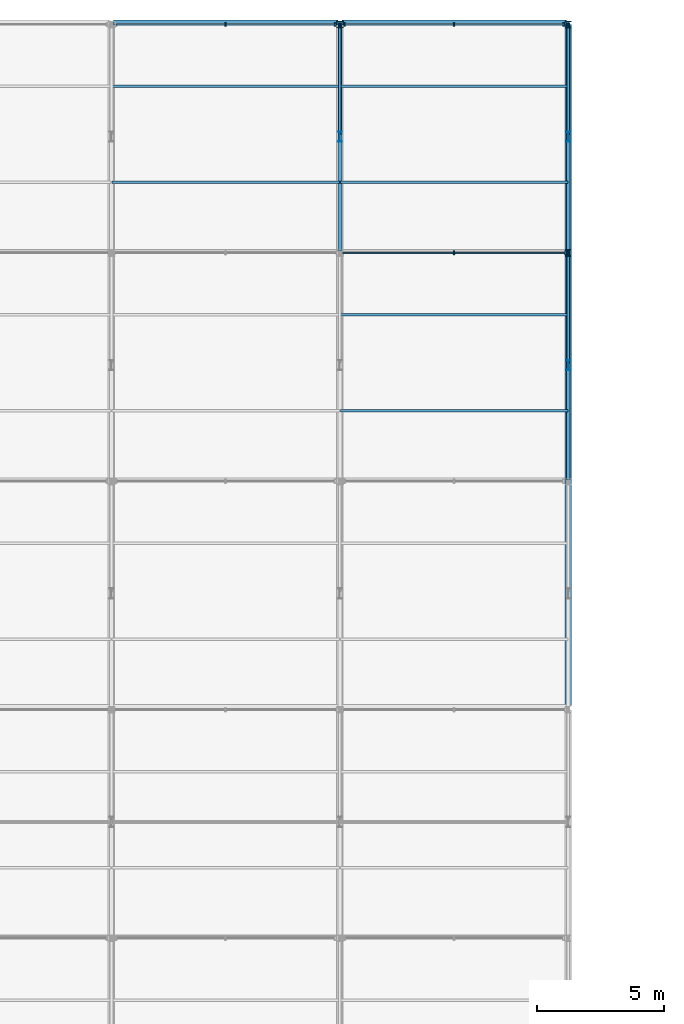
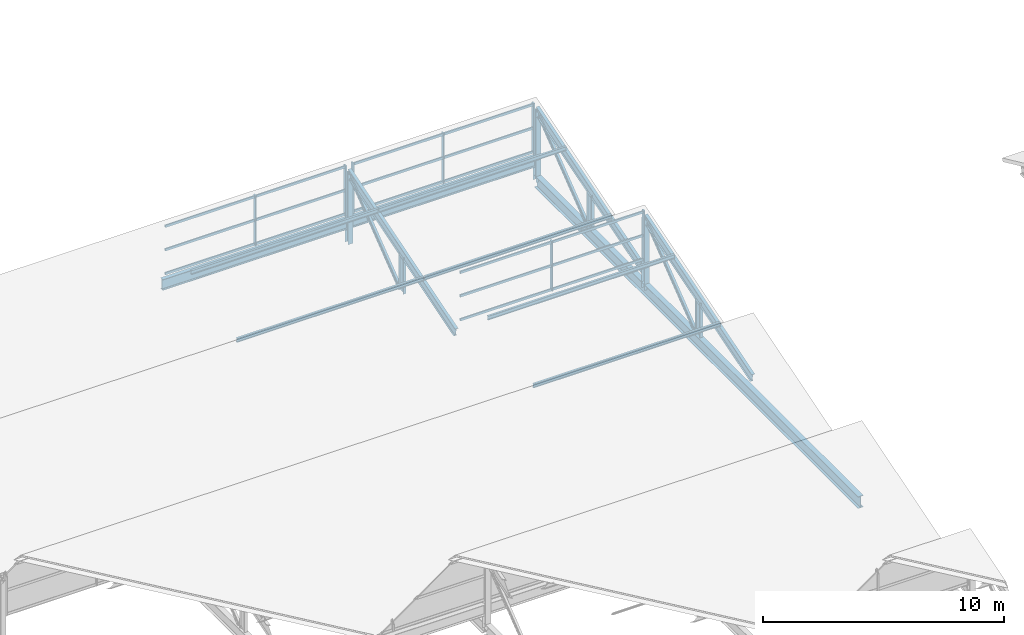
# One storey, part 106 of 163: 43 members, 3 beams, 3 elements without a shape of their own.
"""IFC4 building model written with IfcOpenShell, lengths in metres."""

from ifc_helpers import new_model, si_unit, direction, frame, origin, origin_2d, place, context, subcontext, project, spatial, rectangle, i_section, extrude, material, material_profile, profile_set, type_object, element, aggregate, save


model = new_model("IFC4")

# Units and contexts
model_context = context("Model", 3, precision=1e-05, world=origin(), true_north=direction((0.0, 1.0)))
body_context = subcontext(model_context, "Body", "Model", "MODEL_VIEW")
ifc_project = project(units=[si_unit("LENGTHUNIT", "METRE"), si_unit("AREAUNIT", "SQUARE_METRE"), si_unit("VOLUMEUNIT", "CUBIC_METRE"), si_unit("PLANEANGLEUNIT", "RADIAN"), si_unit("MASSUNIT", "GRAM", prefix="KILO")], contexts=[model_context])

# Site, building, storey
site_placement = place(None, origin())
site = spatial("IfcSite", under=ifc_project, at=site_placement, CompositionType="ELEMENT")
building_placement = place(site_placement, origin())
building = spatial("IfcBuilding", under=site, at=building_placement, Name="Tharagai Park Tramway Depot", CompositionType="ELEMENT")
storey_placement = place(building_placement, frame((0.0, 0.0, 8.39990234375)))
storey = spatial("IfcBuildingStorey", under=building, at=storey_placement, Name="L02", CompositionType="ELEMENT", Elevation=8.39990234375)

# Beams
ifc_material_1 = material(Name="Steel E350", Category="steel")
ifc_material_profile_1 = material_profile(ifc_material_1, i_section(OverallWidth=0.25, OverallDepth=0.60009765625, WebThickness=0.01171875, FlangeThickness=0.023681640625, FilletRadius=0.01708984375, at=origin_2d()), Name="ISWB 600")
ifc_profile_set_1 = profile_set([ifc_material_profile_1], Name="Steel E350")
beam_type_1 = type_object("IfcBeamType", Name="BM-01", PredefinedType="BEAM", material=ifc_profile_set_1)
beam_placement = place(storey_placement, frame((144.0, 117.080078125, -0.25), z_axis=(0.0, 1.0, 0.0), x_axis=(-1.0, 0.0, 0.0)))
element("IfcBeam", 1, at=beam_placement, inside=storey, type_object=beam_type_1, Name="Sawtooth Truss Bottom Tie Girder BM-01", PredefinedType="BEAM", context=body_context, shape_type="SweptSolid", body=[
    extrude(i_section(OverallWidth=0.25, OverallDepth=0.60009765625, WebThickness=0.01171875, FlangeThickness=0.023681640625, FilletRadius=0.01708984375, at=origin_2d()), origin(), (0.0, 0.0, 1.0), 26.83984375),
])
ifc_material_profile_2 = material_profile(ifc_material_1, i_section(OverallWidth=0.18994140625, OverallDepth=0.550048828125, WebThickness=0.01123046875, FlangeThickness=0.019287109375, FilletRadius=0.01806640625, at=origin_2d()), Name="ISMB 550")
ifc_profile_set_2 = profile_set([ifc_material_profile_2], Name="Steel E350")
beam_type_2 = type_object("IfcBeamType", Name="BM-09", PredefinedType="BEAM", material=ifc_profile_set_2)
for number, where, z_axis, x_axis, name in (
    (2, (126.080078125, 144.0, 0.72509765625), (1.0, 0.0, 0.0), (0.0, 1.0, 0.0), "Sawtooth Valley Girder BM-09"),
    (3, (135.080078125, 144.0, 0.72509765625), (1.0, 0.0, 0.0), (0.0, 1.0, 0.0), "Sawtooth Valley Girder BM-09"),
):
    element("IfcBeam", number, at=place(storey_placement, frame(where, z_axis=z_axis, x_axis=x_axis)), inside=storey, type_object=beam_type_2, Name=name, PredefinedType="BEAM", context=body_context, shape_type="SweptSolid", body=[
        extrude(i_section(OverallWidth=0.18994140625, OverallDepth=0.550048828125, WebThickness=0.01123046875, FlangeThickness=0.019287109375, FilletRadius=0.01806640625, at=origin_2d()), origin(), (0.0, 0.0, 1.0), 8.83984375),
    ])

# Members
ifc_material_profile_3 = material_profile(ifc_material_1, i_section(OverallWidth=0.25, OverallDepth=0.25, WebThickness=0.0087890625, FlangeThickness=0.009765625, FilletRadius=0.010009765625, at=origin_2d()), Name="ISHB 250")
ifc_profile_set_3 = profile_set([ifc_material_profile_3], Name="Steel E350")
member_type_1 = type_object("IfcMemberType", Name="BR-01", PredefinedType="BRACE", material=ifc_profile_set_3)
for number, where, z_axis, x_axis, name in (
    (4, (135.0, 143.919921875, -0.25), (0.0, 0.0, 1.0), (1.0, 0.0, 0.0), "Sawtooth North Vertical Post BR-01"),
    (5, (144.0, 134.919921875, -0.25), (0.0, 0.0, 1.0), (1.0, 0.0, 0.0), "Sawtooth North Vertical Post BR-01"),
    (6, (144.0, 143.919921875, -0.25), (0.0, 0.0, 1.0), (1.0, 0.0, 0.0), "Sawtooth North Vertical Post BR-01"),
):
    element("IfcMember", number, at=place(storey_placement, frame(where, z_axis=z_axis, x_axis=x_axis)), inside=storey, type_object=member_type_1, Name=name, PredefinedType="BRACE", context=body_context, shape_type="SweptSolid", body=[
        extrude(i_section(OverallWidth=0.25, OverallDepth=0.25, WebThickness=0.0087890625, FlangeThickness=0.009765625, FilletRadius=0.010009765625, at=origin_2d()), origin(), (0.0, 0.0, 1.0), 3.55517578125),
    ])
ifc_material_profile_4 = material_profile(ifc_material_1, i_section(OverallWidth=0.110107421875, OverallDepth=0.22509765625, WebThickness=0.006591796875, FlangeThickness=0.01171875, FilletRadius=0.011962890625, at=origin_2d()), Name="ISMB 225")
ifc_profile_set_4 = profile_set([ifc_material_profile_4], Name="Steel E350")
member_type_2 = type_object("IfcMemberType", Name="BR-04", PredefinedType="BRACE", material=ifc_profile_set_4)
for number, where, z_axis, x_axis, name in (
    (7, (135.0, 139.64990234375, 0.0), (0.0, 0.790781596, 0.612098413188), (-1.0, 0.0, 0.0), "Sawtooth Truss Web Diagonal BR-04"),
    (8, (144.0, 130.64990234375, 0.0), (0.0, 0.790781596, 0.612098413188), (-1.0, 0.0, 0.0), "Sawtooth Truss Web Diagonal BR-04"),
    (9, (144.0, 139.64990234375, 0.0), (0.0, 0.790781596, 0.612098413188), (-1.0, 0.0, 0.0), "Sawtooth Truss Web Diagonal BR-04"),
):
    element("IfcMember", number, at=place(storey_placement, frame(where, z_axis=z_axis, x_axis=x_axis)), inside=storey, type_object=member_type_2, Name=name, PredefinedType="BRACE", context=body_context, shape_type="SweptSolid", body=[
        extrude(i_section(OverallWidth=0.110107421875, OverallDepth=0.22509765625, WebThickness=0.006591796875, FlangeThickness=0.01171875, FilletRadius=0.011962890625, at=origin_2d()), origin(), (0.0, 0.0, 1.0), 5.399658203125),
    ])

# Curtain wall, members
ifc_material_2 = material(Name="Anodised aluminium", Category="aluminium")
curtain_wall_type_1 = type_object("IfcCurtainWallType", Name="CW-04", PredefinedType="NOTDEFINED", material=ifc_material_2)
curtain_wall_1_placement = place(storey_placement, origin())
curtain_wall_1 = element("IfcCurtainWall", 10, at=curtain_wall_1_placement, inside=storey, type_object=curtain_wall_type_1, Name="Sawtooth North-Light Clerestory CW-04", PredefinedType="NOTDEFINED")
ifc_material_profile_5 = material_profile(ifc_material_2, rectangle(XDim=0.06494140625, YDim=0.1201171875, at=origin_2d()), Name="ALU 65x120")
ifc_profile_set_5 = profile_set([ifc_material_profile_5], Name="Anodised aluminium")
member_type_3 = type_object("IfcMemberType", Name="CM-01", PredefinedType="USERDEFINED", material=ifc_profile_set_5)
member_1_placement = place(storey_placement, frame((135.114990234375, 134.919921875, 1.26513671875), z_axis=(1.0, 0.0, 0.0), x_axis=(0.0, 1.0, 0.0)))
member_1 = element("IfcMember", 11, at=member_1_placement, type_object=member_type_3, Name="Sawtooth North-Light Clerestory Transom 1.1", ObjectType="TRANSOM", PredefinedType="USERDEFINED", context=body_context, shape_type="SweptSolid", body=[
    extrude(rectangle(XDim=0.06494140625, YDim=0.1201171875, at=origin_2d()), origin(), (0.0, 0.0, 1.0), 4.3701171875),
])
member_2_placement = place(storey_placement, frame((135.114990234375, 134.919921875, 2.4736328125), z_axis=(1.0, 0.0, 0.0), x_axis=(0.0, 1.0, 0.0)))
member_2 = element("IfcMember", 12, at=member_2_placement, type_object=member_type_3, Name="Sawtooth North-Light Clerestory Transom 1.2", ObjectType="TRANSOM", PredefinedType="USERDEFINED", context=body_context, shape_type="SweptSolid", body=[
    extrude(rectangle(XDim=0.06494140625, YDim=0.1201171875, at=origin_2d()), origin(), (0.0, 0.0, 1.0), 4.3701171875),
])
member_3_placement = place(storey_placement, frame((135.114990234375, 134.919921875, 3.662353515625), z_axis=(1.0, 0.0, 0.0), x_axis=(0.0, 1.0, 0.0)))
member_3 = element("IfcMember", 13, at=member_3_placement, type_object=member_type_3, Name="Sawtooth North-Light Clerestory Transom 1.3", ObjectType="TRANSOM", PredefinedType="USERDEFINED", context=body_context, shape_type="SweptSolid", body=[
    extrude(rectangle(XDim=0.06494140625, YDim=0.1201171875, at=origin_2d()), origin(), (0.0, 0.0, 1.0), 4.3701171875),
])
member_4_placement = place(storey_placement, frame((139.514892578125, 134.919921875, 1.26513671875), z_axis=(1.0, 0.0, 0.0), x_axis=(0.0, 1.0, 0.0)))
member_4 = element("IfcMember", 14, at=member_4_placement, type_object=member_type_3, Name="Sawtooth North-Light Clerestory Transom 2.1", ObjectType="TRANSOM", PredefinedType="USERDEFINED", context=body_context, shape_type="SweptSolid", body=[
    extrude(rectangle(XDim=0.06494140625, YDim=0.1201171875, at=origin_2d()), origin(), (0.0, 0.0, 1.0), 4.3701171875),
])
member_5_placement = place(storey_placement, frame((139.514892578125, 134.919921875, 2.4736328125), z_axis=(1.0, 0.0, 0.0), x_axis=(0.0, 1.0, 0.0)))
member_5 = element("IfcMember", 15, at=member_5_placement, type_object=member_type_3, Name="Sawtooth North-Light Clerestory Transom 2.2", ObjectType="TRANSOM", PredefinedType="USERDEFINED", context=body_context, shape_type="SweptSolid", body=[
    extrude(rectangle(XDim=0.06494140625, YDim=0.1201171875, at=origin_2d()), origin(), (0.0, 0.0, 1.0), 4.3701171875),
])
member_6_placement = place(storey_placement, frame((139.514892578125, 134.919921875, 3.662353515625), z_axis=(1.0, 0.0, 0.0), x_axis=(0.0, 1.0, 0.0)))
member_6 = element("IfcMember", 16, at=member_6_placement, type_object=member_type_3, Name="Sawtooth North-Light Clerestory Transom 2.3", ObjectType="TRANSOM", PredefinedType="USERDEFINED", context=body_context, shape_type="SweptSolid", body=[
    extrude(rectangle(XDim=0.06494140625, YDim=0.1201171875, at=origin_2d()), origin(), (0.0, 0.0, 1.0), 4.3701171875),
])

curtain_wall_type_2 = type_object("IfcCurtainWallType", Name="CW-03", PredefinedType="NOTDEFINED", material=ifc_material_2)
curtain_wall_2_placement = place(storey_placement, origin())
curtain_wall_2 = element("IfcCurtainWall", 17, at=curtain_wall_2_placement, inside=storey, type_object=curtain_wall_type_2, Name="Sawtooth North-Light Clerestory CW-03", PredefinedType="NOTDEFINED")
member_7_placement = place(storey_placement, frame((126.195068359375, 143.919921875, 1.26513671875), z_axis=(1.0, 0.0, 0.0), x_axis=(0.0, 1.0, 0.0)))
member_7 = element("IfcMember", 18, at=member_7_placement, type_object=member_type_3, Name="Sawtooth North-Light Clerestory Transom 1.1", ObjectType="TRANSOM", PredefinedType="USERDEFINED", context=body_context, shape_type="SweptSolid", body=[
    extrude(rectangle(XDim=0.06494140625, YDim=0.1201171875, at=origin_2d()), origin(), (0.0, 0.0, 1.0), 4.2900390625),
])
member_8_placement = place(storey_placement, frame((126.195068359375, 143.919921875, 2.4736328125), z_axis=(1.0, 0.0, 0.0), x_axis=(0.0, 1.0, 0.0)))
member_8 = element("IfcMember", 19, at=member_8_placement, type_object=member_type_3, Name="Sawtooth North-Light Clerestory Transom 1.2", ObjectType="TRANSOM", PredefinedType="USERDEFINED", context=body_context, shape_type="SweptSolid", body=[
    extrude(rectangle(XDim=0.06494140625, YDim=0.1201171875, at=origin_2d()), origin(), (0.0, 0.0, 1.0), 4.2900390625),
])
member_9_placement = place(storey_placement, frame((126.195068359375, 143.919921875, 3.662353515625), z_axis=(1.0, 0.0, 0.0), x_axis=(0.0, 1.0, 0.0)))
member_9 = element("IfcMember", 20, at=member_9_placement, type_object=member_type_3, Name="Sawtooth North-Light Clerestory Transom 1.3", ObjectType="TRANSOM", PredefinedType="USERDEFINED", context=body_context, shape_type="SweptSolid", body=[
    extrude(rectangle(XDim=0.06494140625, YDim=0.1201171875, at=origin_2d()), origin(), (0.0, 0.0, 1.0), 4.2900390625),
])
member_10_placement = place(storey_placement, frame((130.514892578125, 143.919921875, 1.26513671875), z_axis=(1.0, 0.0, 0.0), x_axis=(0.0, 1.0, 0.0)))
member_10 = element("IfcMember", 21, at=member_10_placement, type_object=member_type_3, Name="Sawtooth North-Light Clerestory Transom 2.1", ObjectType="TRANSOM", PredefinedType="USERDEFINED", context=body_context, shape_type="SweptSolid", body=[
    extrude(rectangle(XDim=0.06494140625, YDim=0.1201171875, at=origin_2d()), origin(), (0.0, 0.0, 1.0), 4.2900390625),
])
member_11_placement = place(storey_placement, frame((130.514892578125, 143.919921875, 2.4736328125), z_axis=(1.0, 0.0, 0.0), x_axis=(0.0, 1.0, 0.0)))
member_11 = element("IfcMember", 22, at=member_11_placement, type_object=member_type_3, Name="Sawtooth North-Light Clerestory Transom 2.2", ObjectType="TRANSOM", PredefinedType="USERDEFINED", context=body_context, shape_type="SweptSolid", body=[
    extrude(rectangle(XDim=0.06494140625, YDim=0.1201171875, at=origin_2d()), origin(), (0.0, 0.0, 1.0), 4.2900390625),
])
member_12_placement = place(storey_placement, frame((130.514892578125, 143.919921875, 3.662353515625), z_axis=(1.0, 0.0, 0.0), x_axis=(0.0, 1.0, 0.0)))
member_12 = element("IfcMember", 23, at=member_12_placement, type_object=member_type_3, Name="Sawtooth North-Light Clerestory Transom 2.3", ObjectType="TRANSOM", PredefinedType="USERDEFINED", context=body_context, shape_type="SweptSolid", body=[
    extrude(rectangle(XDim=0.06494140625, YDim=0.1201171875, at=origin_2d()), origin(), (0.0, 0.0, 1.0), 4.2900390625),
])

curtain_wall_3_placement = place(storey_placement, origin())
curtain_wall_3 = element("IfcCurtainWall", 24, at=curtain_wall_3_placement, inside=storey, type_object=curtain_wall_type_2, Name="Sawtooth North-Light Clerestory CW-03", PredefinedType="NOTDEFINED")
member_13_placement = place(storey_placement, frame((135.195068359375, 143.919921875, 1.26513671875), z_axis=(1.0, 0.0, 0.0), x_axis=(0.0, 1.0, 0.0)))
member_13 = element("IfcMember", 25, at=member_13_placement, type_object=member_type_3, Name="Sawtooth North-Light Clerestory Transom 1.1", ObjectType="TRANSOM", PredefinedType="USERDEFINED", context=body_context, shape_type="SweptSolid", body=[
    extrude(rectangle(XDim=0.06494140625, YDim=0.1201171875, at=origin_2d()), origin(), (0.0, 0.0, 1.0), 4.2900390625),
])
member_14_placement = place(storey_placement, frame((135.195068359375, 143.919921875, 2.4736328125), z_axis=(1.0, 0.0, 0.0), x_axis=(0.0, 1.0, 0.0)))
member_14 = element("IfcMember", 26, at=member_14_placement, type_object=member_type_3, Name="Sawtooth North-Light Clerestory Transom 1.2", ObjectType="TRANSOM", PredefinedType="USERDEFINED", context=body_context, shape_type="SweptSolid", body=[
    extrude(rectangle(XDim=0.06494140625, YDim=0.1201171875, at=origin_2d()), origin(), (0.0, 0.0, 1.0), 4.2900390625),
])
member_15_placement = place(storey_placement, frame((135.195068359375, 143.919921875, 3.662353515625), z_axis=(1.0, 0.0, 0.0), x_axis=(0.0, 1.0, 0.0)))
member_15 = element("IfcMember", 27, at=member_15_placement, type_object=member_type_3, Name="Sawtooth North-Light Clerestory Transom 1.3", ObjectType="TRANSOM", PredefinedType="USERDEFINED", context=body_context, shape_type="SweptSolid", body=[
    extrude(rectangle(XDim=0.06494140625, YDim=0.1201171875, at=origin_2d()), origin(), (0.0, 0.0, 1.0), 4.2900390625),
])
member_16_placement = place(storey_placement, frame((139.514892578125, 143.919921875, 1.26513671875), z_axis=(1.0, 0.0, 0.0), x_axis=(0.0, 1.0, 0.0)))
member_16 = element("IfcMember", 28, at=member_16_placement, type_object=member_type_3, Name="Sawtooth North-Light Clerestory Transom 2.1", ObjectType="TRANSOM", PredefinedType="USERDEFINED", context=body_context, shape_type="SweptSolid", body=[
    extrude(rectangle(XDim=0.06494140625, YDim=0.1201171875, at=origin_2d()), origin(), (0.0, 0.0, 1.0), 4.2900390625),
])
member_17_placement = place(storey_placement, frame((139.514892578125, 143.919921875, 2.4736328125), z_axis=(1.0, 0.0, 0.0), x_axis=(0.0, 1.0, 0.0)))
member_17 = element("IfcMember", 29, at=member_17_placement, type_object=member_type_3, Name="Sawtooth North-Light Clerestory Transom 2.2", ObjectType="TRANSOM", PredefinedType="USERDEFINED", context=body_context, shape_type="SweptSolid", body=[
    extrude(rectangle(XDim=0.06494140625, YDim=0.1201171875, at=origin_2d()), origin(), (0.0, 0.0, 1.0), 4.2900390625),
])
member_18_placement = place(storey_placement, frame((139.514892578125, 143.919921875, 3.662353515625), z_axis=(1.0, 0.0, 0.0), x_axis=(0.0, 1.0, 0.0)))
member_18 = element("IfcMember", 30, at=member_18_placement, type_object=member_type_3, Name="Sawtooth North-Light Clerestory Transom 2.3", ObjectType="TRANSOM", PredefinedType="USERDEFINED", context=body_context, shape_type="SweptSolid", body=[
    extrude(rectangle(XDim=0.06494140625, YDim=0.1201171875, at=origin_2d()), origin(), (0.0, 0.0, 1.0), 4.2900390625),
])

# Member
ifc_material_profile_6 = material_profile(ifc_material_2, rectangle(XDim=0.06494140625, YDim=0.14990234375, at=origin_2d()), Name="ALU 65x150")
ifc_profile_set_6 = profile_set([ifc_material_profile_6], Name="Anodised aluminium")
member_type_4 = type_object("IfcMemberType", Name="CM-03", PredefinedType="MULLION", material=ifc_profile_set_6)
member_19_placement = place(storey_placement, frame((139.5, 134.919921875, 1.2001953125), z_axis=(0.0, 0.0, 1.0), x_axis=(1.0, 0.0, 0.0)))
member_19 = element("IfcMember", 31, at=member_19_placement, type_object=member_type_4, Name="Sawtooth North-Light Clerestory Mullion 2", PredefinedType="MULLION", context=body_context, shape_type="SweptSolid", body=[
    extrude(rectangle(XDim=0.06494140625, YDim=0.14990234375, at=origin_2d()), origin(), (0.0, 0.0, 1.0), 2.547119140625),
])

member_20_placement = place(storey_placement, frame((143.89990234375, 134.919921875, 1.2001953125), z_axis=(0.0, 0.0, 1.0), x_axis=(1.0, 0.0, 0.0)))
member_20 = element("IfcMember", 32, at=member_20_placement, type_object=member_type_4, Name="Sawtooth North-Light Clerestory Mullion 3", PredefinedType="MULLION", context=body_context, shape_type="SweptSolid", body=[
    extrude(rectangle(XDim=0.06494140625, YDim=0.14990234375, at=origin_2d()), origin(), (0.0, 0.0, 1.0), 2.547119140625),
])

aggregate(curtain_wall_1, [member_19, member_20, member_1, member_2, member_3, member_4, member_5, member_6])

member_21_placement = place(storey_placement, frame((130.5, 143.919921875, 1.2001953125), z_axis=(0.0, 0.0, 1.0), x_axis=(1.0, 0.0, 0.0)))
member_21 = element("IfcMember", 33, at=member_21_placement, type_object=member_type_4, Name="Sawtooth North-Light Clerestory Mullion 2", PredefinedType="MULLION", context=body_context, shape_type="SweptSolid", body=[
    extrude(rectangle(XDim=0.06494140625, YDim=0.14990234375, at=origin_2d()), origin(), (0.0, 0.0, 1.0), 2.547119140625),
])

member_22_placement = place(storey_placement, frame((134.820068359375, 143.919921875, 1.2001953125), z_axis=(0.0, 0.0, 1.0), x_axis=(1.0, 0.0, 0.0)))
member_22 = element("IfcMember", 34, at=member_22_placement, type_object=member_type_4, Name="Sawtooth North-Light Clerestory Mullion 3", PredefinedType="MULLION", context=body_context, shape_type="SweptSolid", body=[
    extrude(rectangle(XDim=0.06494140625, YDim=0.14990234375, at=origin_2d()), origin(), (0.0, 0.0, 1.0), 2.547119140625),
])

aggregate(curtain_wall_2, [member_21, member_22, member_7, member_8, member_9, member_10, member_11, member_12])

member_23_placement = place(storey_placement, frame((135.179931640625, 143.919921875, 1.2001953125), z_axis=(0.0, 0.0, 1.0), x_axis=(1.0, 0.0, 0.0)))
member_23 = element("IfcMember", 35, at=member_23_placement, type_object=member_type_4, Name="Sawtooth North-Light Clerestory Mullion 1", PredefinedType="MULLION", context=body_context, shape_type="SweptSolid", body=[
    extrude(rectangle(XDim=0.06494140625, YDim=0.14990234375, at=origin_2d()), origin(), (0.0, 0.0, 1.0), 2.547119140625),
])

member_24_placement = place(storey_placement, frame((139.5, 143.919921875, 1.2001953125), z_axis=(0.0, 0.0, 1.0), x_axis=(1.0, 0.0, 0.0)))
member_24 = element("IfcMember", 36, at=member_24_placement, type_object=member_type_4, Name="Sawtooth North-Light Clerestory Mullion 2", PredefinedType="MULLION", context=body_context, shape_type="SweptSolid", body=[
    extrude(rectangle(XDim=0.06494140625, YDim=0.14990234375, at=origin_2d()), origin(), (0.0, 0.0, 1.0), 2.547119140625),
])

member_25_placement = place(storey_placement, frame((143.820068359375, 143.919921875, 1.2001953125), z_axis=(0.0, 0.0, 1.0), x_axis=(1.0, 0.0, 0.0)))
member_25 = element("IfcMember", 37, at=member_25_placement, type_object=member_type_4, Name="Sawtooth North-Light Clerestory Mullion 3", PredefinedType="MULLION", context=body_context, shape_type="SweptSolid", body=[
    extrude(rectangle(XDim=0.06494140625, YDim=0.14990234375, at=origin_2d()), origin(), (0.0, 0.0, 1.0), 2.547119140625),
])

aggregate(curtain_wall_3, [member_23, member_24, member_25, member_13, member_14, member_15, member_16, member_17, member_18])

# Members
ifc_material_3 = material(Name="Steel E250", Category="steel")
ifc_material_profile_7 = material_profile(ifc_material_3, i_section(OverallWidth=0.10009765625, OverallDepth=0.199951171875, WebThickness=0.00537109375, FlangeThickness=0.00732421875, FilletRadius=0.009033203125, at=origin_2d()), Name="ISLB 200")
ifc_profile_set_7 = profile_set([ifc_material_profile_7], Name="Steel E250")
member_type_5 = type_object("IfcMemberType", Name="PR-03", PredefinedType="PURLIN", material=ifc_profile_set_7)
for number, where, z_axis, x_axis, name in (
    (38, (126.02001953125, 137.699951171875, 1.733154296875), (1.0, 0.0, 0.0), (0.0, 1.0, 0.0), "Sawtooth Roof Purlin PR-03"),
    (39, (126.02001953125, 141.47998046875, 2.87451171875), (1.0, 0.0, 0.0), (0.0, 1.0, 0.0), "Sawtooth Roof Purlin PR-03"),
    (40, (135.02001953125, 137.699951171875, 1.733154296875), (1.0, 0.0, 0.0), (0.0, 1.0, 0.0), "Sawtooth Roof Purlin PR-03"),
    (41, (135.02001953125, 141.47998046875, 2.87451171875), (1.0, 0.0, 0.0), (0.0, 1.0, 0.0), "Sawtooth Roof Purlin PR-03"),
):
    element("IfcMember", number, at=place(storey_placement, frame(where, z_axis=z_axis, x_axis=x_axis)), inside=storey, type_object=member_type_5, Name=name, PredefinedType="PURLIN", context=body_context, shape_type="SweptSolid", body=[
        extrude(i_section(OverallWidth=0.10009765625, OverallDepth=0.199951171875, WebThickness=0.00537109375, FlangeThickness=0.00732421875, FilletRadius=0.009033203125, at=origin_2d()), origin(), (0.0, 0.0, 1.0), 8.9599609375),
    ])
ifc_material_profile_8 = material_profile(ifc_material_3, i_section(OverallWidth=0.10009765625, OverallDepth=0.199951171875, WebThickness=0.005615234375, FlangeThickness=0.0107421875, FilletRadius=0.010986328125, at=origin_2d()), Name="ISMB 200")
ifc_profile_set_8 = profile_set([ifc_material_profile_8], Name="Steel E250")
member_type_6 = type_object("IfcMemberType", Name="PR-04", PredefinedType="PURLIN", material=ifc_profile_set_8)
for number, where, z_axis, x_axis, name in (
    (42, (135.02001953125, 128.699951171875, 1.733154296875), (1.0, 0.0, 0.0), (0.0, 1.0, 0.0), "Sawtooth Roof Purlin PR-04"),
    (43, (135.02001953125, 132.47998046875, 2.87451171875), (1.0, 0.0, 0.0), (0.0, 1.0, 0.0), "Sawtooth Roof Purlin PR-04"),
):
    element("IfcMember", number, at=place(storey_placement, frame(where, z_axis=z_axis, x_axis=x_axis)), inside=storey, type_object=member_type_6, Name=name, PredefinedType="PURLIN", context=body_context, shape_type="SweptSolid", body=[
        extrude(i_section(OverallWidth=0.10009765625, OverallDepth=0.199951171875, WebThickness=0.005615234375, FlangeThickness=0.0107421875, FilletRadius=0.010986328125, at=origin_2d()), origin(), (0.0, 0.0, 1.0), 8.9599609375),
    ])
ifc_material_profile_9 = material_profile(ifc_material_1, i_section(OverallWidth=0.14990234375, OverallDepth=0.449951171875, WebThickness=0.009521484375, FlangeThickness=0.017333984375, FilletRadius=0.014892578125, at=origin_2d()), Name="ISMB 450")
ifc_profile_set_9 = profile_set([ifc_material_profile_9], Name="Steel E350")
member_type_7 = type_object("IfcMemberType", Name="TC-05", PredefinedType="CHORD", material=ifc_profile_set_9)
for number, where, z_axis, x_axis, name in (
    (44, (135.0, 135.06005859375, 0.587890625), (0.0, 0.956231486327, 0.29261125159), (-1.0, 0.0, 0.0), "Sawtooth Top Chord TC-05"),
    (45, (144.0, 126.06005859375, 0.587890625), (0.0, 0.956231486327, 0.29261125159), (-1.0, 0.0, 0.0), "Sawtooth Top Chord TC-05"),
    (46, (144.0, 135.06005859375, 0.587890625), (0.0, 0.956231486327, 0.29261125159), (-1.0, 0.0, 0.0), "Sawtooth Top Chord TC-05"),
):
    element("IfcMember", number, at=place(storey_placement, frame(where, z_axis=z_axis, x_axis=x_axis)), inside=storey, type_object=member_type_7, Name=name, PredefinedType="CHORD", context=body_context, shape_type="SweptSolid", body=[
        extrude(i_section(OverallWidth=0.14990234375, OverallDepth=0.449951171875, WebThickness=0.009521484375, FlangeThickness=0.017333984375, FilletRadius=0.014892578125, at=origin_2d()), origin(), (0.0, 0.0, 1.0), 9.286376953125),
    ])
ifc_material_profile_10 = material_profile(ifc_material_1, i_section(OverallWidth=0.139892578125, OverallDepth=0.39990234375, WebThickness=0.0087890625, FlangeThickness=0.01611328125, FilletRadius=0.013916015625, at=origin_2d()), Name="ISMB 400")
ifc_profile_set_10 = profile_set([ifc_material_profile_10], Name="Steel E350")
member_type_8 = type_object("IfcMemberType", Name="TC-06", PredefinedType="CHORD", material=ifc_profile_set_10)
for number, where, z_axis, x_axis, name in (
    (47, (135.0, 139.5, -0.0498046875), (0.0, 0.0, 1.0), (1.0, 0.0, 0.0), "Sawtooth Mid-Tooth Strut TC-06"),
    (48, (144.0, 130.5, -0.0498046875), (0.0, 0.0, 1.0), (1.0, 0.0, 0.0), "Sawtooth Mid-Tooth Strut TC-06"),
    (49, (144.0, 139.5, -0.0498046875), (0.0, 0.0, 1.0), (1.0, 0.0, 0.0), "Sawtooth Mid-Tooth Strut TC-06"),
):
    element("IfcMember", number, at=place(storey_placement, frame(where, z_axis=z_axis, x_axis=x_axis)), inside=storey, type_object=member_type_8, Name=name, PredefinedType="CHORD", context=body_context, shape_type="SweptSolid", body=[
        extrude(i_section(OverallWidth=0.139892578125, OverallDepth=0.39990234375, WebThickness=0.0087890625, FlangeThickness=0.01611328125, FilletRadius=0.013916015625, at=origin_2d()), origin(), (0.0, 0.0, 1.0), 1.846435546875),
    ])

save(model, "model.ifc")
